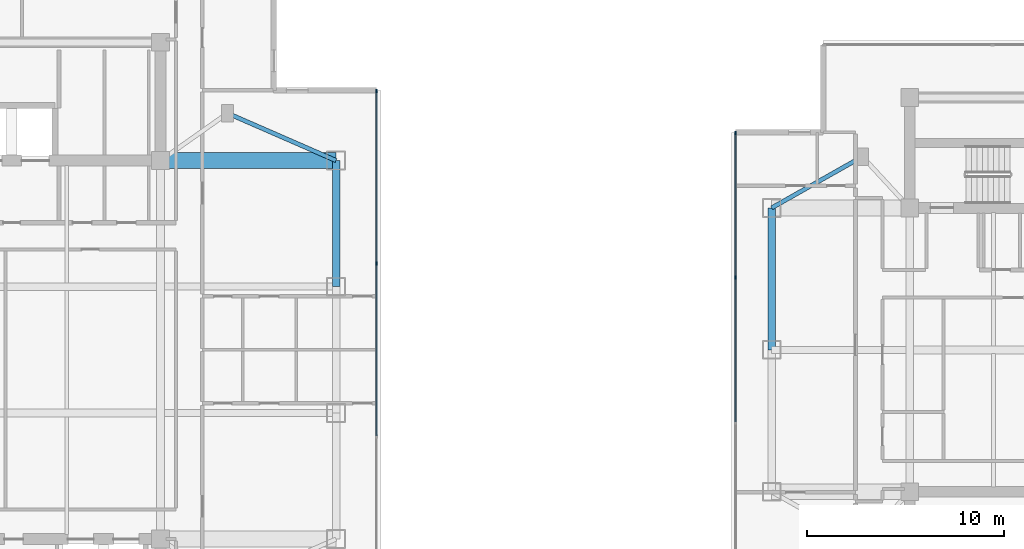
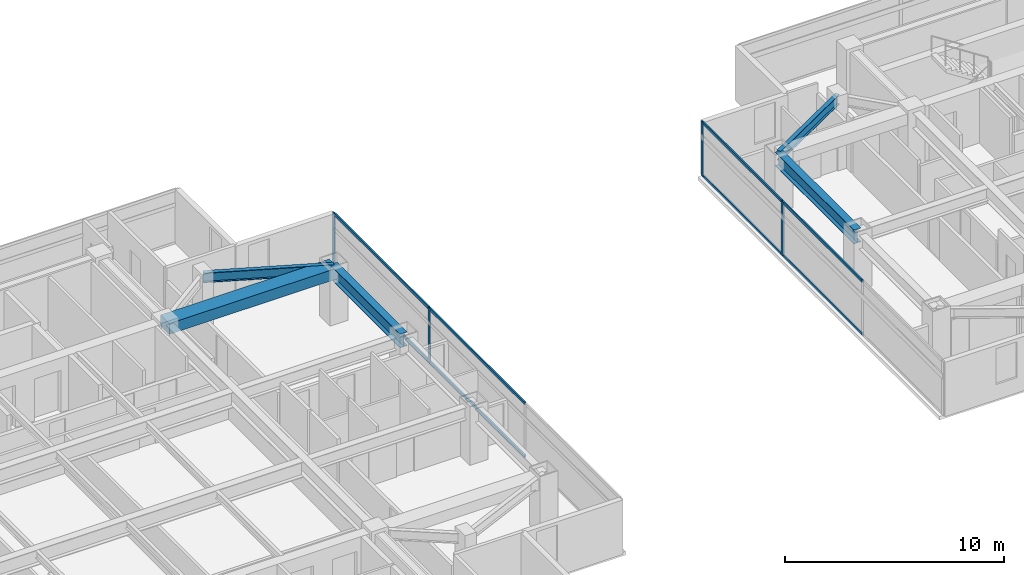
# One storey, part 6 of 24: 12 members, 5 beams, 2 elements without a shape of their own.
"""IFC4 building model written with IfcOpenShell, lengths in metres."""

from ifc_helpers import new_model, si_unit, direction, frame, origin, origin_2d, place, context, subcontext, project, spatial, rectangle, i_section, extrude, material, material_profile, profile_set, type_object, element, aggregate, save


model = new_model("IFC4")

# Units and contexts
model_context = context("Model", 3, precision=1e-05, world=origin(), true_north=direction((0.0, 1.0)))
body_context = subcontext(model_context, "Body", "Model", "MODEL_VIEW")
ifc_project = project(units=[si_unit("LENGTHUNIT", "METRE"), si_unit("AREAUNIT", "SQUARE_METRE"), si_unit("VOLUMEUNIT", "CUBIC_METRE"), si_unit("PLANEANGLEUNIT", "RADIAN"), si_unit("MASSUNIT", "GRAM", prefix="KILO")], contexts=[model_context])

# Site, building, storey
site_placement = place(None, origin())
site = spatial("IfcSite", under=ifc_project, at=site_placement, CompositionType="ELEMENT")
building_placement = place(site_placement, origin())
building = spatial("IfcBuilding", under=site, at=building_placement, Name="Mirazonda Arch Towers", CompositionType="ELEMENT")
storey_placement = place(building_placement, frame((0.0, 0.0, 196.64990234375)))
storey = spatial("IfcBuildingStorey", under=building, at=storey_placement, Name="L56", CompositionType="ELEMENT", Elevation=196.64990234375)

# Beams
ifc_material_1 = material(Name="Steel ASTM A992 Grade 50", Category="steel")
ifc_material_profile_1 = material_profile(ifc_material_1, i_section(OverallWidth=0.381103515625, OverallDepth=0.77294921875, WebThickness=0.0166015625, FlangeThickness=0.027099609375, at=origin_2d()), Name="W30X173")
ifc_profile_set_1 = profile_set([ifc_material_profile_1], Name="Steel ASTM A992 Grade 50")
beam_type_1 = type_object("IfcBeamType", Name="BM-EXT-W30X173", PredefinedType="USERDEFINED", material=ifc_profile_set_1)
beam_1_placement = place(storey_placement, frame((38.89990234375, 31.199951171875, 2.66357421875), z_axis=(0.0, 1.0, 0.0), x_axis=(-1.0, 0.0, 0.0)))
element("IfcBeam", 1, at=beam_1_placement, inside=storey, type_object=beam_type_1, Name="L56 Floor Beam BM-T1-L56-NS-E-31", ObjectType="GIRDER", PredefinedType="USERDEFINED", context=body_context, shape_type="SweptSolid", body=[
    extrude(i_section(OverallWidth=0.381103515625, OverallDepth=0.77294921875, WebThickness=0.0166015625, FlangeThickness=0.027099609375, at=origin_2d()), origin(), (0.0, 0.0, 1.0), 6.400146484375),
])
beam_2_placement = place(storey_placement, frame((61.0, 28.0, 2.66357421875), z_axis=(0.0, 1.0, 0.0), x_axis=(-1.0, 0.0, 0.0)))
element("IfcBeam", 2, at=beam_2_placement, inside=storey, type_object=beam_type_1, Name="L56 Floor Beam BM-T2-L56-NS-W-28", ObjectType="GIRDER", PredefinedType="USERDEFINED", context=body_context, shape_type="SweptSolid", body=[
    extrude(i_section(OverallWidth=0.381103515625, OverallDepth=0.77294921875, WebThickness=0.0166015625, FlangeThickness=0.027099609375, at=origin_2d()), origin(), (0.0, 0.0, 1.0), 7.199951171875),
])
ifc_material_profile_2 = material_profile(ifc_material_1, i_section(OverallWidth=0.214111328125, OverallDepth=0.549072265625, WebThickness=0.0146484375, FlangeThickness=0.023681640625, at=origin_2d()), Name="W21X93")
ifc_profile_set_2 = profile_set([ifc_material_profile_2], Name="Steel ASTM A992 Grade 50")
beam_type_2 = type_object("IfcBeamType", Name="BM-INT-W21X93", PredefinedType="BEAM", material=ifc_profile_set_2)
beam_3_placement = place(storey_placement, frame((33.39990234375, 40.0, 2.775634765625), z_axis=(0.916545343703, -0.399930785183, 0.0), x_axis=(0.399930785183, 0.916545343703, 0.0)))
element("IfcBeam", 3, at=beam_3_placement, inside=storey, type_object=beam_type_2, Name="L56 Floor Beam BM-T1-L56-PL-NE2", PredefinedType="BEAM", context=body_context, shape_type="SweptSolid", body=[
    extrude(i_section(OverallWidth=0.214111328125, OverallDepth=0.549072265625, WebThickness=0.0146484375, FlangeThickness=0.023681640625, at=origin_2d()), origin(), (0.0, 0.0, 1.0), 6.000732421875),
])
beam_4_placement = place(storey_placement, frame((65.60009765625, 37.800048828125, 2.775634765625), z_axis=(-0.870559396632, -0.492063346467, 0.0), x_axis=(0.492063346467, -0.870559396632, 0.0)))
element("IfcBeam", 4, at=beam_4_placement, inside=storey, type_object=beam_type_2, Name="L56 Floor Beam BM-T2-L56-PL-NW2", PredefinedType="BEAM", context=body_context, shape_type="SweptSolid", body=[
    extrude(i_section(OverallWidth=0.214111328125, OverallDepth=0.549072265625, WebThickness=0.0146484375, FlangeThickness=0.023681640625, at=origin_2d()), origin(), (0.0, 0.0, 1.0), 5.2841796875),
])
ifc_material_2 = material(Name="Concrete C60/75", Category="concrete")
ifc_material_profile_3 = material_profile(ifc_material_2, rectangle(XDim=0.800048828125, YDim=0.60009765625, at=origin_2d()), Name="RCCB800x600")
ifc_profile_set_3 = profile_set([ifc_material_profile_3], Name="Concrete C60/75")
beam_type_3 = type_object("IfcBeamType", Name="CB-INT-RCCB800x600", PredefinedType="SPANDREL", material=ifc_profile_set_3)
beam_5_placement = place(storey_placement, frame((30.0, 37.60009765625, 2.75), z_axis=(1.0, 0.0, 0.0), x_axis=(0.0, 1.0, 0.0)))
element("IfcBeam", 5, at=beam_5_placement, inside=storey, type_object=beam_type_3, Name="L56 Floor Beam CBC-T1-L56-NE", PredefinedType="SPANDREL", context=body_context, shape_type="SweptSolid", body=[
    extrude(rectangle(XDim=0.800048828125, YDim=0.60009765625, at=origin_2d()), origin(), (0.0, 0.0, 1.0), 8.89990234375),
])

# Curtain wall, members
ifc_material_3 = material(Name="Anodised Aluminium and Low-E Glass", Category="aluminium")
curtain_wall_type = type_object("IfcCurtainWallType", Name="CW-RES-UNIT", PredefinedType="NOTDEFINED", material=ifc_material_3)
curtain_wall_1_placement = place(storey_placement, origin())
curtain_wall_1 = element("IfcCurtainWall", 6, at=curtain_wall_1_placement, inside=storey, type_object=curtain_wall_type, Name="L56 T1 E Facade CW-L56-T1-E", PredefinedType="NOTDEFINED")
ifc_material_4 = material(Name="Anodised Aluminium Alloy", Category="aluminium")
ifc_material_profile_4 = material_profile(ifc_material_4, rectangle(XDim=0.074951171875, YDim=0.175048828125, at=origin_2d()), Name="ALU-MULL-75x175")
ifc_profile_set_4 = profile_set([ifc_material_profile_4], Name="Anodised Aluminium Alloy")
member_type_1 = type_object("IfcMemberType", Name="MULL-CW-RES-UNIT", PredefinedType="MULLION", material=ifc_profile_set_4)
member_1_placement = place(storey_placement, frame((40.949951171875, 32.388916015625, 0.0), z_axis=(0.0, 0.0, 1.0), x_axis=(-1.0, 0.0, 0.0)))
member_1 = element("IfcMember", 7, at=member_1_placement, type_object=member_type_1, Name="CW-104 mullion 3", PredefinedType="MULLION", context=body_context, shape_type="SweptSolid", body=[
    extrude(rectangle(XDim=0.074951171875, YDim=0.175048828125, at=origin_2d()), origin(), (0.0, 0.0, 1.0), 3.030029296875),
])
member_2_placement = place(storey_placement, frame((40.949951171875, 41.12939453125, 0.0), z_axis=(0.0, 0.0, 1.0), x_axis=(-1.0, 0.0, 0.0)))
member_2 = element("IfcMember", 8, at=member_2_placement, type_object=member_type_1, Name="CW-104 mullion 4", PredefinedType="MULLION", context=body_context, shape_type="SweptSolid", body=[
    extrude(rectangle(XDim=0.074951171875, YDim=0.175048828125, at=origin_2d()), origin(), (0.0, 0.0, 1.0), 3.030029296875),
])

curtain_wall_2_placement = place(storey_placement, origin())
curtain_wall_2 = element("IfcCurtainWall", 9, at=curtain_wall_2_placement, inside=storey, type_object=curtain_wall_type, Name="L56 T2 W Facade CW-L56-T2-W", PredefinedType="NOTDEFINED")
member_3_placement = place(storey_placement, frame((59.17041015625, 38.994384765625, 0.0), z_axis=(0.0, 0.0, 1.0), x_axis=(1.0, 0.0, 0.0)))
member_3 = element("IfcMember", 10, at=member_3_placement, type_object=member_type_1, Name="CW-104 mullion 1", PredefinedType="MULLION", context=body_context, shape_type="SweptSolid", body=[
    extrude(rectangle(XDim=0.074951171875, YDim=0.175048828125, at=origin_2d()), origin(), (0.0, 0.0, 1.0), 3.030029296875),
])
member_4_placement = place(storey_placement, frame((59.17041015625, 31.67724609375, 0.0), z_axis=(0.0, 0.0, 1.0), x_axis=(1.0, 0.0, 0.0)))
member_4 = element("IfcMember", 11, at=member_4_placement, type_object=member_type_1, Name="CW-104 mullion 2", PredefinedType="MULLION", context=body_context, shape_type="SweptSolid", body=[
    extrude(rectangle(XDim=0.074951171875, YDim=0.175048828125, at=origin_2d()), origin(), (0.0, 0.0, 1.0), 3.030029296875),
])

# Member
ifc_material_profile_5 = material_profile(ifc_material_4, rectangle(XDim=0.074951171875, YDim=0.155029296875, at=origin_2d()), Name="ALU-TRAN-75x155")
ifc_profile_set_5 = profile_set([ifc_material_profile_5], Name="Anodised Aluminium Alloy")
member_type_2 = type_object("IfcMemberType", Name="TRAN-CW-RES-UNIT", PredefinedType="USERDEFINED", material=ifc_profile_set_5)
member_5_placement = place(storey_placement, frame((40.949951171875, 23.6484375, 0.03759765625), z_axis=(0.0, 1.0, 0.0), x_axis=(-1.0, 0.0, 0.0)))
member_5 = element("IfcMember", 12, at=member_5_placement, type_object=member_type_2, Name="CW-104 transom 2.1", ObjectType="TRANSOM", PredefinedType="USERDEFINED", context=body_context, shape_type="SweptSolid", body=[
    extrude(rectangle(XDim=0.074951171875, YDim=0.155029296875, at=origin_2d()), origin(), (0.0, 0.0, 1.0), 8.703125),
])

member_6_placement = place(storey_placement, frame((40.949951171875, 23.6484375, 2.99267578125), z_axis=(0.0, 1.0, 0.0), x_axis=(-1.0, 0.0, 0.0)))
member_6 = element("IfcMember", 13, at=member_6_placement, type_object=member_type_2, Name="CW-104 transom 2.2", ObjectType="TRANSOM", PredefinedType="USERDEFINED", context=body_context, shape_type="SweptSolid", body=[
    extrude(rectangle(XDim=0.074951171875, YDim=0.155029296875, at=origin_2d()), origin(), (0.0, 0.0, 1.0), 8.703125),
])

member_7_placement = place(storey_placement, frame((40.949951171875, 32.426513671875, 0.03759765625), z_axis=(0.0, 1.0, 0.0), x_axis=(-1.0, 0.0, 0.0)))
member_7 = element("IfcMember", 14, at=member_7_placement, type_object=member_type_2, Name="CW-104 transom 3.1", ObjectType="TRANSOM", PredefinedType="USERDEFINED", context=body_context, shape_type="SweptSolid", body=[
    extrude(rectangle(XDim=0.074951171875, YDim=0.155029296875, at=origin_2d()), origin(), (0.0, 0.0, 1.0), 8.66552734375),
])

member_8_placement = place(storey_placement, frame((40.949951171875, 32.426513671875, 2.99267578125), z_axis=(0.0, 1.0, 0.0), x_axis=(-1.0, 0.0, 0.0)))
member_8 = element("IfcMember", 15, at=member_8_placement, type_object=member_type_2, Name="CW-104 transom 3.2", ObjectType="TRANSOM", PredefinedType="USERDEFINED", context=body_context, shape_type="SweptSolid", body=[
    extrude(rectangle(XDim=0.074951171875, YDim=0.155029296875, at=origin_2d()), origin(), (0.0, 0.0, 1.0), 8.66552734375),
])

aggregate(curtain_wall_1, [member_1, member_2, member_5, member_6, member_7, member_8])

member_9_placement = place(storey_placement, frame((59.17041015625, 38.95703125, 0.03759765625), z_axis=(0.0, -1.0, 0.0), x_axis=(1.0, 0.0, 0.0)))
member_9 = element("IfcMember", 16, at=member_9_placement, type_object=member_type_2, Name="CW-104 transom 1.1", ObjectType="TRANSOM", PredefinedType="USERDEFINED", context=body_context, shape_type="SweptSolid", body=[
    extrude(rectangle(XDim=0.074951171875, YDim=0.155029296875, at=origin_2d()), origin(), (0.0, 0.0, 1.0), 7.2421875),
])

member_10_placement = place(storey_placement, frame((59.17041015625, 38.95703125, 2.99267578125), z_axis=(0.0, -1.0, 0.0), x_axis=(1.0, 0.0, 0.0)))
member_10 = element("IfcMember", 17, at=member_10_placement, type_object=member_type_2, Name="CW-104 transom 1.2", ObjectType="TRANSOM", PredefinedType="USERDEFINED", context=body_context, shape_type="SweptSolid", body=[
    extrude(rectangle(XDim=0.074951171875, YDim=0.155029296875, at=origin_2d()), origin(), (0.0, 0.0, 1.0), 7.2421875),
])

member_11_placement = place(storey_placement, frame((59.17041015625, 31.639892578125, 0.03759765625), z_axis=(0.0, -1.0, 0.0), x_axis=(1.0, 0.0, 0.0)))
member_11 = element("IfcMember", 18, at=member_11_placement, type_object=member_type_2, Name="CW-104 transom 2.1", ObjectType="TRANSOM", PredefinedType="USERDEFINED", context=body_context, shape_type="SweptSolid", body=[
    extrude(rectangle(XDim=0.074951171875, YDim=0.155029296875, at=origin_2d()), origin(), (0.0, 0.0, 1.0), 7.27978515625),
])

member_12_placement = place(storey_placement, frame((59.17041015625, 31.639892578125, 2.99267578125), z_axis=(0.0, -1.0, 0.0), x_axis=(1.0, 0.0, 0.0)))
member_12 = element("IfcMember", 19, at=member_12_placement, type_object=member_type_2, Name="CW-104 transom 2.2", ObjectType="TRANSOM", PredefinedType="USERDEFINED", context=body_context, shape_type="SweptSolid", body=[
    extrude(rectangle(XDim=0.074951171875, YDim=0.155029296875, at=origin_2d()), origin(), (0.0, 0.0, 1.0), 7.27978515625),
])

aggregate(curtain_wall_2, [member_3, member_4, member_9, member_10, member_11, member_12])

save(model, "model.ifc")
